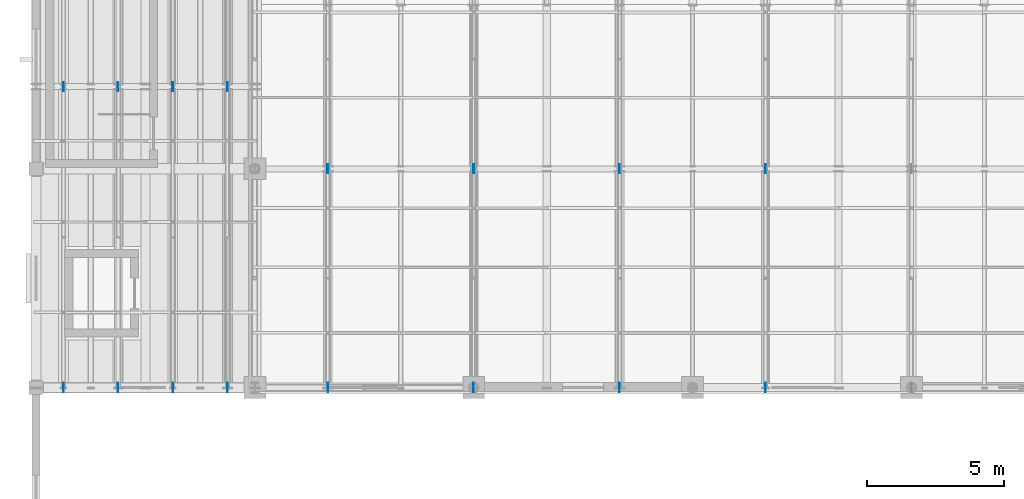
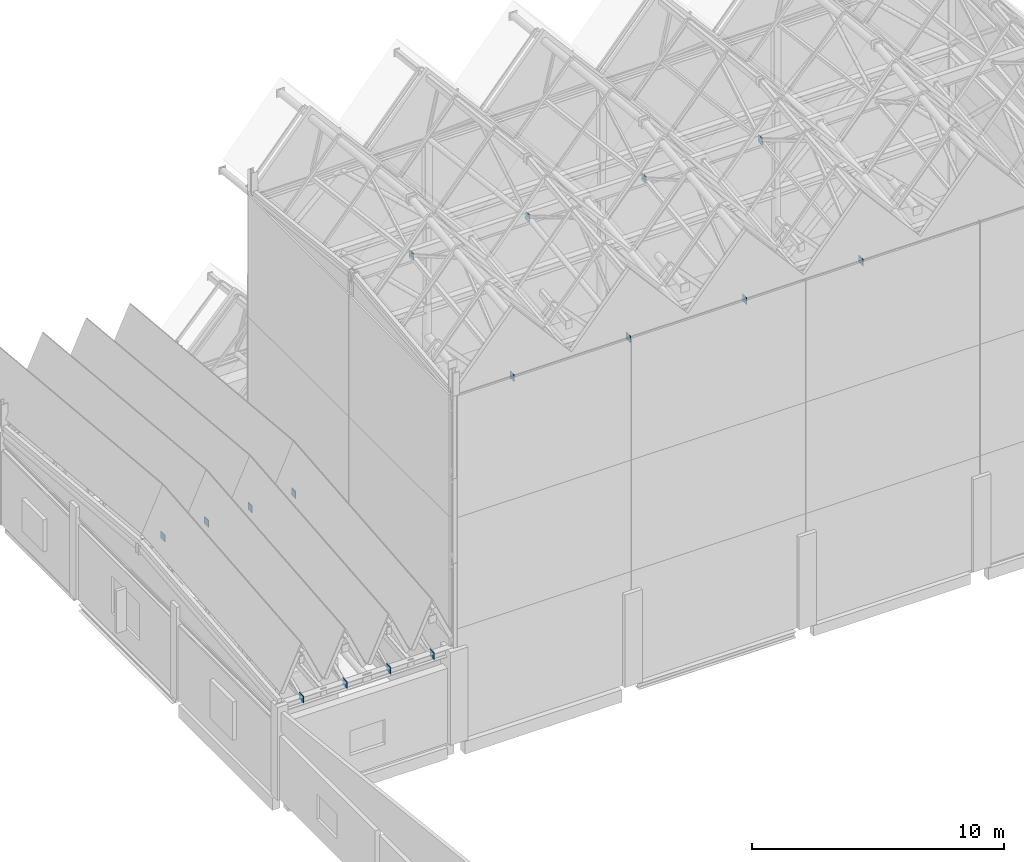
# One storey, part 25 of 48: 16 plates.
"""IFC4 building model written with IfcOpenShell, lengths in metres."""

from ifc_helpers import new_model, si_unit, direction, frame, origin, origin_2d, place, context, subcontext, project, spatial, rectangle, extrude, material, layer, layer_set, type_object, element, save


model = new_model("IFC4")

# Units and contexts
model_context = context("Model", 3, precision=1e-05, world=origin(), true_north=direction((0.0, 1.0)))
body_context = subcontext(model_context, "Body", "Model", "MODEL_VIEW")
ifc_project = project(units=[si_unit("LENGTHUNIT", "METRE"), si_unit("AREAUNIT", "SQUARE_METRE"), si_unit("VOLUMEUNIT", "CUBIC_METRE"), si_unit("PLANEANGLEUNIT", "RADIAN"), si_unit("MASSUNIT", "GRAM", prefix="KILO")], contexts=[model_context])

# Site, building, storey
site_placement = place(None, origin())
site = spatial("IfcSite", under=ifc_project, at=site_placement, CompositionType="ELEMENT")
building_placement = place(site_placement, origin())
building = spatial("IfcBuilding", under=site, at=building_placement, Name="Luwemba Playhouse", CompositionType="ELEMENT")
storey_placement = place(building_placement, frame((0.0, 0.0, 13.800048828125)))
storey = spatial("IfcBuildingStorey", under=building, at=storey_placement, Name="L03", CompositionType="ELEMENT", Elevation=13.800048828125)

# Plates
ifc_material = material(Name="Steel S355", Category="steel")
ifc_layer_1 = layer(ifc_material, 0.02001953125)
ifc_layer_set_1 = layer_set([ifc_layer_1], Name="Steel S355")
plate_type_1 = type_object("IfcPlateType", Name="PLT-GP2", PredefinedType="USERDEFINED", material=ifc_layer_set_1)
for number, where, z_axis, x_axis, name in (
    (1, (14.666748046875, 68.0, 16.4296875), (0.0, 0.0, 1.0), (1.0, 0.0, 0.0), "Truss node gusset cap plate 0022"),
    (2, (20.0, 68.0, 16.4296875), (0.0, 0.0, 1.0), (1.0, 0.0, 0.0), "Truss node gusset cap plate 0025"),
    (3, (25.333251953125, 68.0, 16.4296875), (0.0, 0.0, 1.0), (1.0, 0.0, 0.0), "Truss node gusset cap plate 0028"),
    (4, (30.666748046875, 68.0, 16.4296875), (0.0, 0.0, 1.0), (1.0, 0.0, 0.0), "Truss node gusset cap plate 0031"),
    (5, (5.0, 68.0, 4.22998046875), (0.0, 0.0, 1.0), (1.0, 0.0, 0.0), "Truss node gusset cap plate 0040"),
    (6, (7.0, 68.0, 4.22998046875), (0.0, 0.0, 1.0), (1.0, 0.0, 0.0), "Truss node gusset cap plate 0043"),
    (7, (9.0, 68.0, 4.22998046875), (0.0, 0.0, 1.0), (1.0, 0.0, 0.0), "Truss node gusset cap plate 0046"),
    (8, (11.0, 68.0, 4.22998046875), (0.0, 0.0, 1.0), (1.0, 0.0, 0.0), "Truss node gusset cap plate 0049"),
):
    element("IfcPlate", number, at=place(storey_placement, frame(where, z_axis=z_axis, x_axis=x_axis)), inside=storey, type_object=plate_type_1, Name=name, ObjectType="GUSSET PLATE", PredefinedType="USERDEFINED", context=body_context, shape_type="SweptSolid", body=[
        extrude(rectangle(XDim=0.02001953125, YDim=0.340087890625, at=origin_2d()), origin(), (0.0, 0.0, 1.0), 0.340087890625),
    ])
ifc_layer_2 = layer(ifc_material, 0.02490234375)
ifc_layer_set_2 = layer_set([ifc_layer_2], Name="Steel S355")
plate_type_2 = type_object("IfcPlateType", Name="PLT-GP3", PredefinedType="USERDEFINED", material=ifc_layer_set_2)
for number, where, z_axis, x_axis, name in (
    (9, (14.666748046875, 76.0, 17.447265625), (0.0, 0.0, 1.0), (1.0, 0.0, 0.0), "Truss node gusset cap plate 0023"),
    (10, (20.0, 76.0, 17.447265625), (0.0, 0.0, 1.0), (1.0, 0.0, 0.0), "Truss node gusset cap plate 0026"),
    (11, (25.333251953125, 76.0, 17.447265625), (0.0, 0.0, 1.0), (1.0, 0.0, 0.0), "Truss node gusset cap plate 0029"),
    (12, (30.666748046875, 76.0, 17.447265625), (0.0, 0.0, 1.0), (1.0, 0.0, 0.0), "Truss node gusset cap plate 0032"),
    (13, (5.0, 79.0, 5.3740234375), (0.0, 0.0, 1.0), (1.0, 0.0, 0.0), "Truss node gusset cap plate 0041"),
    (14, (7.0, 79.0, 5.3740234375), (0.0, 0.0, 1.0), (1.0, 0.0, 0.0), "Truss node gusset cap plate 0044"),
    (15, (9.0, 79.0, 5.3740234375), (0.0, 0.0, 1.0), (1.0, 0.0, 0.0), "Truss node gusset cap plate 0047"),
    (16, (11.0, 79.0, 5.3740234375), (0.0, 0.0, 1.0), (1.0, 0.0, 0.0), "Truss node gusset cap plate 0050"),
):
    element("IfcPlate", number, at=place(storey_placement, frame(where, z_axis=z_axis, x_axis=x_axis)), inside=storey, type_object=plate_type_2, Name=name, ObjectType="GUSSET PLATE", PredefinedType="USERDEFINED", context=body_context, shape_type="SweptSolid", body=[
        extrude(rectangle(XDim=0.02490234375, YDim=0.340087890625, at=origin_2d()), origin(), (0.0, 0.0, 1.0), 0.340087890625),
    ])

save(model, "model.ifc")
